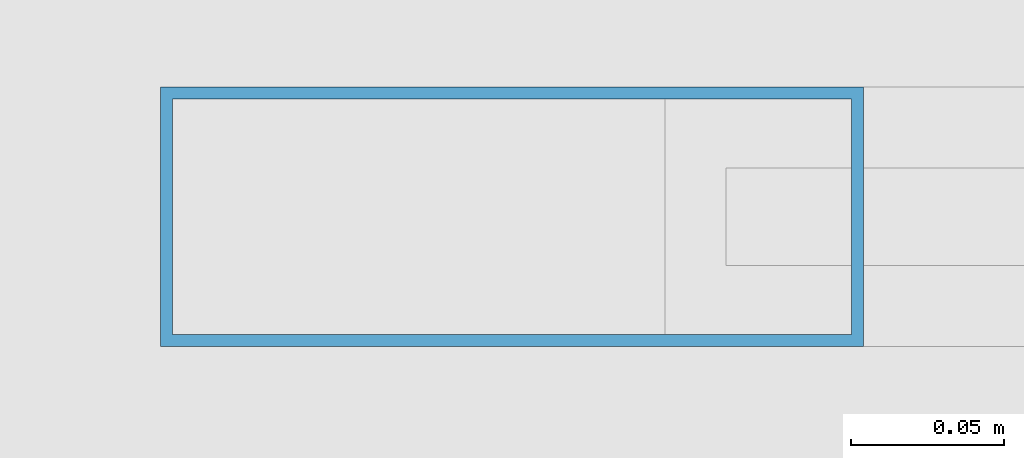
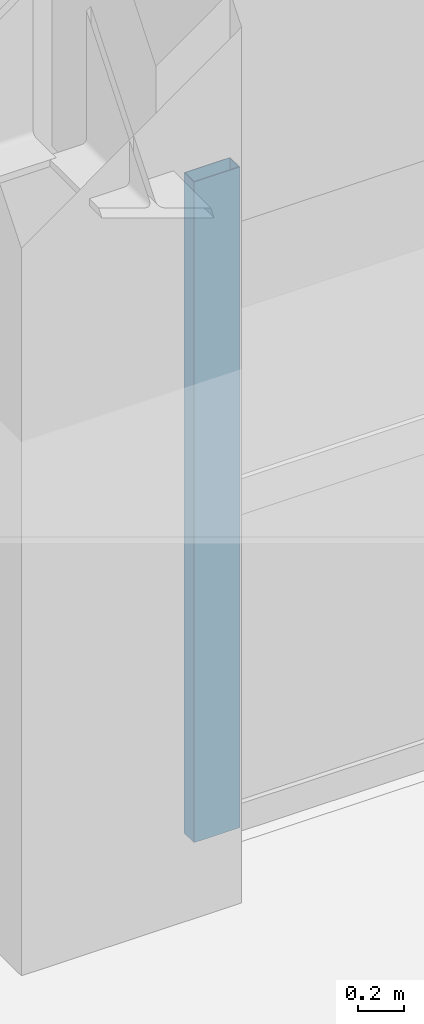
# One storey, part 15 of 35: 1 member, 1 element without a shape of its own.
"""IFC4 building model written with IfcOpenShell, lengths in metres."""

from ifc_helpers import new_model, si_unit, direction, frame, origin, origin_2d, place, context, subcontext, project, spatial, hollow_rectangle, extrude, material, material_profile, profile_set, type_object, element, aggregate, save


model = new_model("IFC4")

# Units and contexts
model_context = context("Model", 3, precision=1e-05, world=origin(), true_north=direction((0.0, 1.0)))
body_context = subcontext(model_context, "Body", "Model", "MODEL_VIEW")
ifc_project = project(units=[si_unit("LENGTHUNIT", "METRE"), si_unit("AREAUNIT", "SQUARE_METRE"), si_unit("VOLUMEUNIT", "CUBIC_METRE"), si_unit("PLANEANGLEUNIT", "RADIAN"), si_unit("MASSUNIT", "GRAM", prefix="KILO")], contexts=[model_context])

# Site, building, storey
site_placement = place(None, origin())
site = spatial("IfcSite", under=ifc_project, at=site_placement, CompositionType="ELEMENT")
building_placement = place(site_placement, origin())
building = spatial("IfcBuilding", under=site, at=building_placement, Name="Kovane Verandah Tower", CompositionType="ELEMENT")
storey_placement = place(building_placement, frame((0.0, 0.0, 16.39990234375)))
storey = spatial("IfcBuildingStorey", under=building, at=storey_placement, Name="L03", CompositionType="ELEMENT", Elevation=16.39990234375)

# Curtain wall, member
ifc_material_1 = material(Name="Champagne Anodised Aluminium Frame with Low-E Clear Laminated Glass", Category="aluminium")
curtain_wall_type = type_object("IfcCurtainWallType", Name="CW-SYS-01-POD", PredefinedType="NOTDEFINED", material=ifc_material_1)
curtain_wall_placement = place(storey_placement, origin())
curtain_wall = element("IfcCurtainWall", 1, at=curtain_wall_placement, inside=storey, type_object=curtain_wall_type, Name="L03 North Podium Curtain Wall Bay 4", PredefinedType="NOTDEFINED")
ifc_material_2 = material(Name="Champagne Anodised Aluminium 6063-T6", Category="aluminium")
ifc_material_profile = material_profile(ifc_material_2, hollow_rectangle(XDim=0.0849609375, YDim=0.22998046875, WallThickness=0.00390625, at=origin_2d()), Name="AL85x230x4")
ifc_profile_set = profile_set([ifc_material_profile], Name="Champagne Anodised Aluminium 6063-T6")
member_type = type_object("IfcMemberType", Name="CW-MUL-85x230", PredefinedType="MULLION", material=ifc_profile_set)
member_placement = place(storey_placement, frame((29.719970703125, 56.5, 0.02001953125), z_axis=(0.0, 0.0, 1.0), x_axis=(0.0, 1.0, 0.0)))
member = element("IfcMember", 2, at=member_placement, type_object=member_type, Name="L03 North Podium Curtain Wall Bay 4 Mullion 5", PredefinedType="MULLION", context=body_context, shape_type="SweptSolid", body=[
    extrude(hollow_rectangle(XDim=0.0849609375, YDim=0.22998046875, WallThickness=0.00390625, at=origin_2d()), origin(), (0.0, 0.0, 1.0), 3.489990234375),
])
aggregate(curtain_wall, [member])

save(model, "model.ifc")
